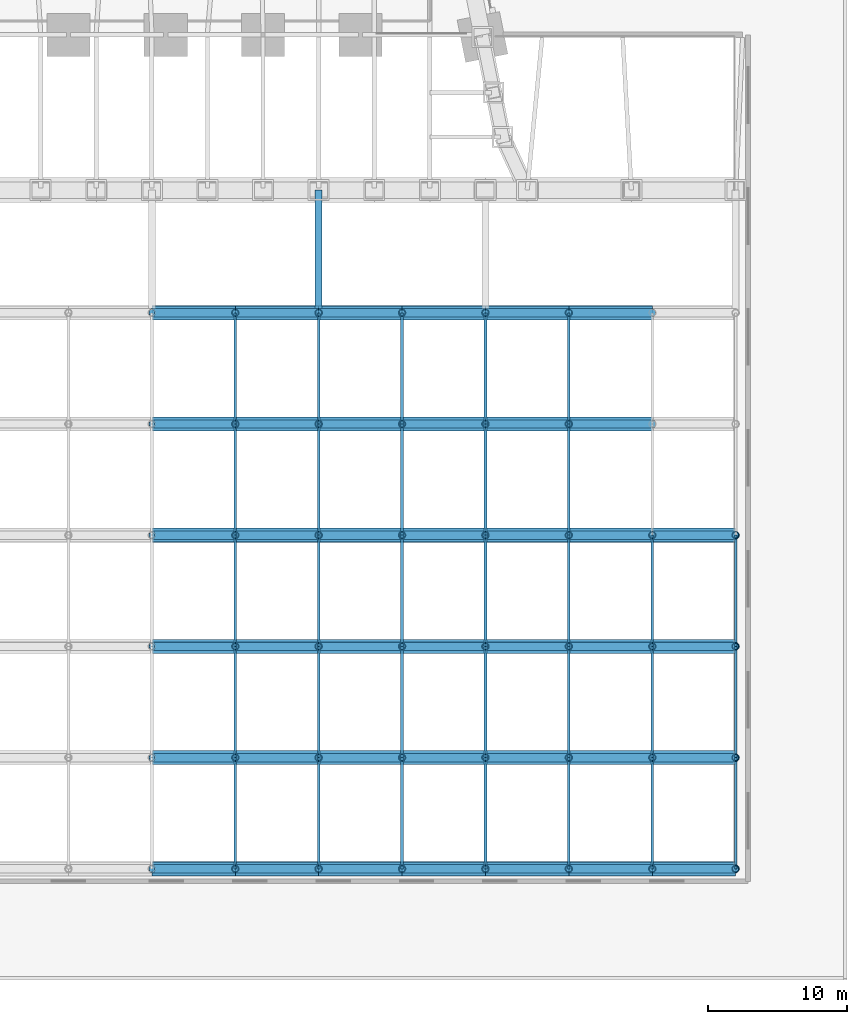
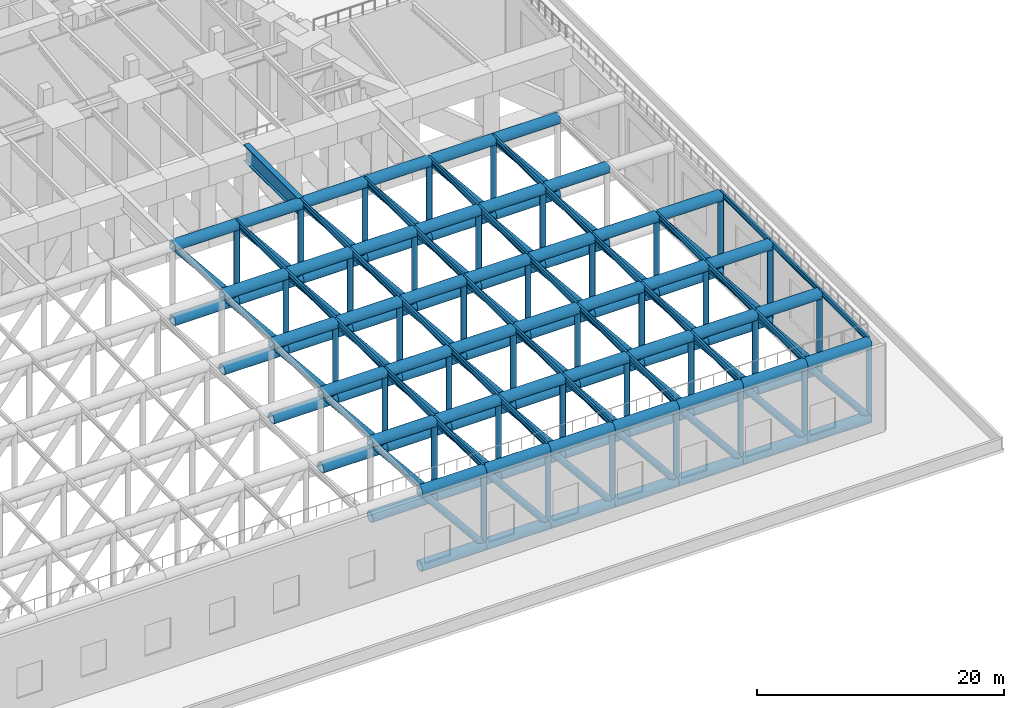
# One storey, part 5 of 20: 158 members, 32 beams.
"""IFC4 building model written with IfcOpenShell, lengths in metres."""

from ifc_helpers import new_model, si_unit, direction, frame, origin, origin_2d, place, context, subcontext, project, spatial, hollow_circle, i_section, extrude, material, material_profile, profile_set, type_object, element, save


model = new_model("IFC4")

# Units and contexts
model_context = context("Model", 3, precision=1e-05, world=origin(), true_north=direction((0.0, 1.0)))
body_context = subcontext(model_context, "Body", "Model", "MODEL_VIEW")
ifc_project = project(units=[si_unit("LENGTHUNIT", "METRE"), si_unit("AREAUNIT", "SQUARE_METRE"), si_unit("VOLUMEUNIT", "CUBIC_METRE"), si_unit("PLANEANGLEUNIT", "RADIAN"), si_unit("MASSUNIT", "GRAM", prefix="KILO")], contexts=[model_context])

# Site, building, storey
site_placement = place(None, origin())
site = spatial("IfcSite", under=ifc_project, at=site_placement, CompositionType="ELEMENT")
building_placement = place(site_placement, origin())
building = spatial("IfcBuilding", under=site, at=building_placement, Name="Isbrekke Arena Tower", CompositionType="ELEMENT")
storey_placement = place(building_placement, frame((0.0, 0.0, 19.0)))
storey = spatial("IfcBuildingStorey", under=building, at=storey_placement, Name="L03", CompositionType="ELEMENT", Elevation=19.0)

# Beams
ifc_material_1 = material(Name="Steel S355", Category="steel")
ifc_material_profile_1 = material_profile(ifc_material_1, i_section(OverallWidth=0.199951171875, OverallDepth=0.5, WebThickness=0.01025390625, FlangeThickness=0.01611328125, FilletRadius=0.02099609375, at=origin_2d()), Name="IPE 500")
ifc_profile_set_1 = profile_set([ifc_material_profile_1], Name="Steel S355")
beam_type_1 = type_object("IfcBeamType", Name="RP1 IPE 500", PredefinedType="BEAM", material=ifc_profile_set_1)
for number, where, z_axis, x_axis, name in (
    (1, (12.0, -66.0, 8.75), (0.0, 1.0, 0.0), (-1.0, 0.0, 0.0), "RP1 roof purlin 1.11"),
    (2, (18.0, -66.0, 8.75), (0.0, 1.0, 0.0), (-1.0, 0.0, 0.0), "RP1 roof purlin 1.12"),
    (3, (24.0, -66.0, 8.75), (0.0, 1.0, 0.0), (-1.0, 0.0, 0.0), "RP1 roof purlin 1.13"),
    (4, (30.0, -66.0, 8.75), (0.0, 1.0, 0.0), (-1.0, 0.0, 0.0), "RP1 roof purlin 1.14"),
    (5, (36.0, -66.0, 8.75), (0.0, 1.0, 0.0), (-1.0, 0.0, 0.0), "RP1 roof purlin 1.15"),
    (6, (42.0, -66.0, 8.75), (0.0, 1.0, 0.0), (-1.0, 0.0, 0.0), "RP1 roof purlin 1.16"),
    (7, (48.0, -66.0, 8.75), (0.0, 1.0, 0.0), (-1.0, 0.0, 0.0), "RP1 roof purlin 1.17"),
    (8, (12.0, -58.0, 8.75), (0.0, 1.0, 0.0), (-1.0, 0.0, 0.0), "RP1 roof purlin 2.11"),
    (9, (18.0, -58.0, 8.75), (0.0, 1.0, 0.0), (-1.0, 0.0, 0.0), "RP1 roof purlin 2.12"),
    (10, (24.0, -58.0, 8.75), (0.0, 1.0, 0.0), (-1.0, 0.0, 0.0), "RP1 roof purlin 2.13"),
    (11, (30.0, -58.0, 8.75), (0.0, 1.0, 0.0), (-1.0, 0.0, 0.0), "RP1 roof purlin 2.14"),
    (12, (36.0, -58.0, 8.75), (0.0, 1.0, 0.0), (-1.0, 0.0, 0.0), "RP1 roof purlin 2.15"),
    (13, (42.0, -58.0, 8.75), (0.0, 1.0, 0.0), (-1.0, 0.0, 0.0), "RP1 roof purlin 2.16"),
    (14, (48.0, -58.0, 8.75), (0.0, 1.0, 0.0), (-1.0, 0.0, 0.0), "RP1 roof purlin 2.17"),
    (15, (12.0, -50.0, 8.75), (0.0, 1.0, 0.0), (-1.0, 0.0, 0.0), "RP1 roof purlin 3.11"),
    (16, (18.0, -50.0, 8.75), (0.0, 1.0, 0.0), (-1.0, 0.0, 0.0), "RP1 roof purlin 3.12"),
    (17, (24.0, -50.0, 8.75), (0.0, 1.0, 0.0), (-1.0, 0.0, 0.0), "RP1 roof purlin 3.13"),
    (18, (30.0, -50.0, 8.75), (0.0, 1.0, 0.0), (-1.0, 0.0, 0.0), "RP1 roof purlin 3.14"),
    (19, (36.0, -50.0, 8.75), (0.0, 1.0, 0.0), (-1.0, 0.0, 0.0), "RP1 roof purlin 3.15"),
    (20, (42.0, -50.0, 8.75), (0.0, 1.0, 0.0), (-1.0, 0.0, 0.0), "RP1 roof purlin 3.16"),
    (21, (48.0, -50.0, 8.75), (0.0, 1.0, 0.0), (-1.0, 0.0, 0.0), "RP1 roof purlin 3.17"),
    (22, (12.0, -42.0, 8.75), (0.0, 1.0, 0.0), (-1.0, 0.0, 0.0), "RP1 roof purlin 4.11"),
    (23, (18.0, -42.0, 8.75), (0.0, 1.0, 0.0), (-1.0, 0.0, 0.0), "RP1 roof purlin 4.12"),
    (24, (24.0, -42.0, 8.75), (0.0, 1.0, 0.0), (-1.0, 0.0, 0.0), "RP1 roof purlin 4.13"),
    (25, (30.0, -42.0, 8.75), (0.0, 1.0, 0.0), (-1.0, 0.0, 0.0), "RP1 roof purlin 4.14"),
    (26, (36.0, -42.0, 8.75), (0.0, 1.0, 0.0), (-1.0, 0.0, 0.0), "RP1 roof purlin 4.15"),
    (27, (12.0, -34.0, 8.75), (0.0, 1.0, 0.0), (-1.0, 0.0, 0.0), "RP1 roof purlin 5.11"),
    (28, (18.0, -34.0, 8.75), (0.0, 1.0, 0.0), (-1.0, 0.0, 0.0), "RP1 roof purlin 5.12"),
    (29, (24.0, -34.0, 8.75), (0.0, 1.0, 0.0), (-1.0, 0.0, 0.0), "RP1 roof purlin 5.13"),
    (30, (30.0, -34.0, 8.75), (0.0, 1.0, 0.0), (-1.0, 0.0, 0.0), "RP1 roof purlin 5.14"),
    (31, (36.0, -34.0, 8.75), (0.0, 1.0, 0.0), (-1.0, 0.0, 0.0), "RP1 roof purlin 5.15"),
):
    element("IfcBeam", number, at=place(storey_placement, frame(where, z_axis=z_axis, x_axis=x_axis)), inside=storey, type_object=beam_type_1, Name=name, PredefinedType="BEAM", context=body_context, shape_type="SweptSolid", body=[
        extrude(i_section(OverallWidth=0.199951171875, OverallDepth=0.5, WebThickness=0.01025390625, FlangeThickness=0.01611328125, FilletRadius=0.02099609375, at=origin_2d()), origin(), (0.0, 0.0, 1.0), 8.0),
    ])
ifc_material_2 = material(Name="Steel S460", Category="steel")
ifc_material_profile_2 = material_profile(ifc_material_2, i_section(OverallWidth=0.5, OverallDepth=1.60009765625, WebThickness=0.030029296875, FlangeThickness=0.06005859375, at=origin_2d()), Name="PG 1600x500")
ifc_profile_set_2 = profile_set([ifc_material_profile_2], Name="Steel S460")
beam_type_2 = type_object("IfcBeamType", Name="RP3 PG 1600x500", PredefinedType="BEAM", material=ifc_profile_set_2)
beam_placement = place(storey_placement, frame((18.0, -26.0, 8.199951171875), z_axis=(0.0, 1.0, 0.0), x_axis=(-1.0, 0.0, 0.0)))
element("IfcBeam", 32, at=beam_placement, inside=storey, type_object=beam_type_2, Name="RP3 roof purlin 6.12", PredefinedType="BEAM", context=body_context, shape_type="SweptSolid", body=[
    extrude(i_section(OverallWidth=0.5, OverallDepth=1.60009765625, WebThickness=0.030029296875, FlangeThickness=0.06005859375, at=origin_2d()), origin(), (0.0, 0.0, 1.0), 8.824951171875),
])

# Members
ifc_material_3 = material(Name="Steel S355", Category="steel")
ifc_material_profile_3 = material_profile(ifc_material_3, hollow_circle(Radius=0.508056640625, WallThickness=0.050048828125, at=origin_2d()), Name="CHS 1016x50")
ifc_profile_set_3 = profile_set([ifc_material_profile_3], Name="Steel S355")
member_type_1 = type_object("IfcMemberType", Name="RT1 CHS 1016x50", PredefinedType="CHORD", material=ifc_profile_set_3)
for number, where, z_axis, x_axis, name in (
    (33, (6.0, -66.0, 1.10791015625), (1.0, 0.0, 0.0), (0.0, 1.0, 0.0), "RT1 arena roof truss bottom chord 10"),
    (34, (6.0, -66.0, 8.491943359375), (1.0, 0.0, 0.0), (0.0, 1.0, 0.0), "RT1 arena roof truss top chord 10"),
    (35, (12.0, -66.0, 1.10791015625), (1.0, 0.0, 0.0), (0.0, 1.0, 0.0), "RT1 arena roof truss bottom chord 11"),
    (36, (12.0, -66.0, 8.491943359375), (1.0, 0.0, 0.0), (0.0, 1.0, 0.0), "RT1 arena roof truss top chord 11"),
    (37, (18.0, -66.0, 1.10791015625), (1.0, 0.0, 0.0), (0.0, 1.0, 0.0), "RT1 arena roof truss bottom chord 12"),
    (38, (18.0, -66.0, 8.491943359375), (1.0, 0.0, 0.0), (0.0, 1.0, 0.0), "RT1 arena roof truss top chord 12"),
    (39, (24.0, -66.0, 1.10791015625), (1.0, 0.0, 0.0), (0.0, 1.0, 0.0), "RT1 arena roof truss bottom chord 13"),
    (40, (24.0, -66.0, 8.491943359375), (1.0, 0.0, 0.0), (0.0, 1.0, 0.0), "RT1 arena roof truss top chord 13"),
    (41, (30.0, -66.0, 1.10791015625), (1.0, 0.0, 0.0), (0.0, 1.0, 0.0), "RT1 arena roof truss bottom chord 14"),
    (42, (30.0, -66.0, 8.491943359375), (1.0, 0.0, 0.0), (0.0, 1.0, 0.0), "RT1 arena roof truss top chord 14"),
    (43, (36.0, -66.0, 1.10791015625), (1.0, 0.0, 0.0), (0.0, 1.0, 0.0), "RT1 arena roof truss bottom chord 15"),
    (44, (36.0, -66.0, 8.491943359375), (1.0, 0.0, 0.0), (0.0, 1.0, 0.0), "RT1 arena roof truss top chord 15"),
    (45, (42.0, -66.0, 1.10791015625), (1.0, 0.0, 0.0), (0.0, 1.0, 0.0), "RT1 arena roof truss bottom chord 16"),
    (46, (42.0, -66.0, 8.491943359375), (1.0, 0.0, 0.0), (0.0, 1.0, 0.0), "RT1 arena roof truss top chord 16"),
    (47, (6.0, -58.0, 1.10791015625), (1.0, 0.0, 0.0), (0.0, 1.0, 0.0), "RT2 arena roof truss bottom chord 10"),
    (48, (6.0, -58.0, 8.491943359375), (1.0, 0.0, 0.0), (0.0, 1.0, 0.0), "RT2 arena roof truss top chord 10"),
    (49, (12.0, -58.0, 1.10791015625), (1.0, 0.0, 0.0), (0.0, 1.0, 0.0), "RT2 arena roof truss bottom chord 11"),
    (50, (12.0, -58.0, 8.491943359375), (1.0, 0.0, 0.0), (0.0, 1.0, 0.0), "RT2 arena roof truss top chord 11"),
    (51, (18.0, -58.0, 1.10791015625), (1.0, 0.0, 0.0), (0.0, 1.0, 0.0), "RT2 arena roof truss bottom chord 12"),
    (52, (18.0, -58.0, 8.491943359375), (1.0, 0.0, 0.0), (0.0, 1.0, 0.0), "RT2 arena roof truss top chord 12"),
    (53, (24.0, -58.0, 1.10791015625), (1.0, 0.0, 0.0), (0.0, 1.0, 0.0), "RT2 arena roof truss bottom chord 13"),
    (54, (24.0, -58.0, 8.491943359375), (1.0, 0.0, 0.0), (0.0, 1.0, 0.0), "RT2 arena roof truss top chord 13"),
    (55, (30.0, -58.0, 1.10791015625), (1.0, 0.0, 0.0), (0.0, 1.0, 0.0), "RT2 arena roof truss bottom chord 14"),
    (56, (30.0, -58.0, 8.491943359375), (1.0, 0.0, 0.0), (0.0, 1.0, 0.0), "RT2 arena roof truss top chord 14"),
    (57, (36.0, -58.0, 1.10791015625), (1.0, 0.0, 0.0), (0.0, 1.0, 0.0), "RT2 arena roof truss bottom chord 15"),
    (58, (36.0, -58.0, 8.491943359375), (1.0, 0.0, 0.0), (0.0, 1.0, 0.0), "RT2 arena roof truss top chord 15"),
    (59, (42.0, -58.0, 1.10791015625), (1.0, 0.0, 0.0), (0.0, 1.0, 0.0), "RT2 arena roof truss bottom chord 16"),
    (60, (42.0, -58.0, 8.491943359375), (1.0, 0.0, 0.0), (0.0, 1.0, 0.0), "RT2 arena roof truss top chord 16"),
    (61, (6.0, -50.0, 1.10791015625), (1.0, 0.0, 0.0), (0.0, 1.0, 0.0), "RT3 arena roof truss bottom chord 10"),
    (62, (6.0, -50.0, 8.491943359375), (1.0, 0.0, 0.0), (0.0, 1.0, 0.0), "RT3 arena roof truss top chord 10"),
    (63, (12.0, -50.0, 1.10791015625), (1.0, 0.0, 0.0), (0.0, 1.0, 0.0), "RT3 arena roof truss bottom chord 11"),
    (64, (12.0, -50.0, 8.491943359375), (1.0, 0.0, 0.0), (0.0, 1.0, 0.0), "RT3 arena roof truss top chord 11"),
    (65, (18.0, -50.0, 1.10791015625), (1.0, 0.0, 0.0), (0.0, 1.0, 0.0), "RT3 arena roof truss bottom chord 12"),
    (66, (18.0, -50.0, 8.491943359375), (1.0, 0.0, 0.0), (0.0, 1.0, 0.0), "RT3 arena roof truss top chord 12"),
    (67, (24.0, -50.0, 1.10791015625), (1.0, 0.0, 0.0), (0.0, 1.0, 0.0), "RT3 arena roof truss bottom chord 13"),
    (68, (24.0, -50.0, 8.491943359375), (1.0, 0.0, 0.0), (0.0, 1.0, 0.0), "RT3 arena roof truss top chord 13"),
    (69, (30.0, -50.0, 1.10791015625), (1.0, 0.0, 0.0), (0.0, 1.0, 0.0), "RT3 arena roof truss bottom chord 14"),
    (70, (30.0, -50.0, 8.491943359375), (1.0, 0.0, 0.0), (0.0, 1.0, 0.0), "RT3 arena roof truss top chord 14"),
    (71, (36.0, -50.0, 1.10791015625), (1.0, 0.0, 0.0), (0.0, 1.0, 0.0), "RT3 arena roof truss bottom chord 15"),
    (72, (36.0, -50.0, 8.491943359375), (1.0, 0.0, 0.0), (0.0, 1.0, 0.0), "RT3 arena roof truss top chord 15"),
    (73, (42.0, -50.0, 1.10791015625), (1.0, 0.0, 0.0), (0.0, 1.0, 0.0), "RT3 arena roof truss bottom chord 16"),
    (74, (42.0, -50.0, 8.491943359375), (1.0, 0.0, 0.0), (0.0, 1.0, 0.0), "RT3 arena roof truss top chord 16"),
    (75, (6.0, -42.0, 1.10791015625), (1.0, 0.0, 0.0), (0.0, 1.0, 0.0), "RT4 arena roof truss bottom chord 10"),
    (76, (6.0, -42.0, 8.491943359375), (1.0, 0.0, 0.0), (0.0, 1.0, 0.0), "RT4 arena roof truss top chord 10"),
    (77, (12.0, -42.0, 1.10791015625), (1.0, 0.0, 0.0), (0.0, 1.0, 0.0), "RT4 arena roof truss bottom chord 11"),
    (78, (12.0, -42.0, 8.491943359375), (1.0, 0.0, 0.0), (0.0, 1.0, 0.0), "RT4 arena roof truss top chord 11"),
    (79, (18.0, -42.0, 1.10791015625), (1.0, 0.0, 0.0), (0.0, 1.0, 0.0), "RT4 arena roof truss bottom chord 12"),
    (80, (18.0, -42.0, 8.491943359375), (1.0, 0.0, 0.0), (0.0, 1.0, 0.0), "RT4 arena roof truss top chord 12"),
    (81, (24.0, -42.0, 1.10791015625), (1.0, 0.0, 0.0), (0.0, 1.0, 0.0), "RT4 arena roof truss bottom chord 13"),
    (82, (24.0, -42.0, 8.491943359375), (1.0, 0.0, 0.0), (0.0, 1.0, 0.0), "RT4 arena roof truss top chord 13"),
    (83, (30.0, -42.0, 1.10791015625), (1.0, 0.0, 0.0), (0.0, 1.0, 0.0), "RT4 arena roof truss bottom chord 14"),
    (84, (30.0, -42.0, 8.491943359375), (1.0, 0.0, 0.0), (0.0, 1.0, 0.0), "RT4 arena roof truss top chord 14"),
    (85, (36.0, -42.0, 1.10791015625), (1.0, 0.0, 0.0), (0.0, 1.0, 0.0), "RT4 arena roof truss bottom chord 15"),
    (86, (36.0, -42.0, 8.491943359375), (1.0, 0.0, 0.0), (0.0, 1.0, 0.0), "RT4 arena roof truss top chord 15"),
    (87, (42.0, -42.0, 1.10791015625), (1.0, 0.0, 0.0), (0.0, 1.0, 0.0), "RT4 arena roof truss bottom chord 16"),
    (88, (42.0, -42.0, 8.491943359375), (1.0, 0.0, 0.0), (0.0, 1.0, 0.0), "RT4 arena roof truss top chord 16"),
    (89, (6.0, -34.0, 1.10791015625), (1.0, 0.0, 0.0), (0.0, 1.0, 0.0), "RT5 arena roof truss bottom chord 10"),
    (90, (6.0, -34.0, 8.491943359375), (1.0, 0.0, 0.0), (0.0, 1.0, 0.0), "RT5 arena roof truss top chord 10"),
    (91, (12.0, -34.0, 1.10791015625), (1.0, 0.0, 0.0), (0.0, 1.0, 0.0), "RT5 arena roof truss bottom chord 11"),
    (92, (12.0, -34.0, 8.491943359375), (1.0, 0.0, 0.0), (0.0, 1.0, 0.0), "RT5 arena roof truss top chord 11"),
    (93, (18.0, -34.0, 1.10791015625), (1.0, 0.0, 0.0), (0.0, 1.0, 0.0), "RT5 arena roof truss bottom chord 12"),
    (94, (18.0, -34.0, 8.491943359375), (1.0, 0.0, 0.0), (0.0, 1.0, 0.0), "RT5 arena roof truss top chord 12"),
    (95, (24.0, -34.0, 1.10791015625), (1.0, 0.0, 0.0), (0.0, 1.0, 0.0), "RT5 arena roof truss bottom chord 13"),
    (96, (24.0, -34.0, 8.491943359375), (1.0, 0.0, 0.0), (0.0, 1.0, 0.0), "RT5 arena roof truss top chord 13"),
    (97, (30.0, -34.0, 1.10791015625), (1.0, 0.0, 0.0), (0.0, 1.0, 0.0), "RT5 arena roof truss bottom chord 14"),
    (98, (30.0, -34.0, 8.491943359375), (1.0, 0.0, 0.0), (0.0, 1.0, 0.0), "RT5 arena roof truss top chord 14"),
    (99, (36.0, -34.0, 1.10791015625), (1.0, 0.0, 0.0), (0.0, 1.0, 0.0), "RT5 arena roof truss bottom chord 15"),
    (100, (36.0, -34.0, 8.491943359375), (1.0, 0.0, 0.0), (0.0, 1.0, 0.0), "RT5 arena roof truss top chord 15"),
):
    element("IfcMember", number, at=place(storey_placement, frame(where, z_axis=z_axis, x_axis=x_axis)), inside=storey, type_object=member_type_1, Name=name, PredefinedType="CHORD", context=body_context, shape_type="SweptSolid", body=[
        extrude(hollow_circle(Radius=0.508056640625, WallThickness=0.050048828125, at=origin_2d()), origin(), (0.0, 0.0, 1.0), 6.0),
    ])
ifc_material_4 = material(Name="Steel S355", Category="steel")
ifc_material_profile_4 = material_profile(ifc_material_4, hollow_circle(Radius=0.508056640625, WallThickness=0.080078125, at=origin_2d()), Name="CHS 1016x80")
ifc_profile_set_4 = profile_set([ifc_material_profile_4], Name="Steel S355")
member_type_2 = type_object("IfcMemberType", Name="RT1H CHS 1016x80", PredefinedType="CHORD", material=ifc_profile_set_4)
for number, where, z_axis, x_axis, name in (
    (101, (6.0, -26.0, 1.10791015625), (1.0, 0.0, 0.0), (0.0, 1.0, 0.0), "RT6 arena roof truss bottom chord 10"),
    (102, (6.0, -26.0, 8.491943359375), (1.0, 0.0, 0.0), (0.0, 1.0, 0.0), "RT6 arena roof truss top chord 10"),
    (103, (12.0, -26.0, 1.10791015625), (1.0, 0.0, 0.0), (0.0, 1.0, 0.0), "RT6 arena roof truss bottom chord 11"),
    (104, (12.0, -26.0, 8.491943359375), (1.0, 0.0, 0.0), (0.0, 1.0, 0.0), "RT6 arena roof truss top chord 11"),
    (105, (18.0, -26.0, 1.10791015625), (1.0, 0.0, 0.0), (0.0, 1.0, 0.0), "RT6 arena roof truss bottom chord 12"),
    (106, (18.0, -26.0, 8.491943359375), (1.0, 0.0, 0.0), (0.0, 1.0, 0.0), "RT6 arena roof truss top chord 12"),
    (107, (24.0, -26.0, 1.10791015625), (1.0, 0.0, 0.0), (0.0, 1.0, 0.0), "RT6 arena roof truss bottom chord 13"),
    (108, (24.0, -26.0, 8.491943359375), (1.0, 0.0, 0.0), (0.0, 1.0, 0.0), "RT6 arena roof truss top chord 13"),
    (109, (30.0, -26.0, 1.10791015625), (1.0, 0.0, 0.0), (0.0, 1.0, 0.0), "RT6 arena roof truss bottom chord 14"),
    (110, (30.0, -26.0, 8.491943359375), (1.0, 0.0, 0.0), (0.0, 1.0, 0.0), "RT6 arena roof truss top chord 14"),
    (111, (36.0, -26.0, 1.10791015625), (1.0, 0.0, 0.0), (0.0, 1.0, 0.0), "RT6 arena roof truss bottom chord 15"),
    (112, (36.0, -26.0, 8.491943359375), (1.0, 0.0, 0.0), (0.0, 1.0, 0.0), "RT6 arena roof truss top chord 15"),
):
    element("IfcMember", number, at=place(storey_placement, frame(where, z_axis=z_axis, x_axis=x_axis)), inside=storey, type_object=member_type_2, Name=name, PredefinedType="CHORD", context=body_context, shape_type="SweptSolid", body=[
        extrude(hollow_circle(Radius=0.508056640625, WallThickness=0.080078125, at=origin_2d()), origin(), (0.0, 0.0, 1.0), 6.0),
    ])
ifc_material_5 = material(Name="Steel S355", Category="steel")
ifc_material_profile_5 = material_profile(ifc_material_5, hollow_circle(Radius=0.25390625, WallThickness=0.02001953125, at=origin_2d()), Name="CHS 508x20")
ifc_profile_set_5 = profile_set([ifc_material_profile_5], Name="Steel S355")
member_type_3 = type_object("IfcMemberType", Name="RT2 CHS 508x20", PredefinedType="POST", material=ifc_profile_set_5)
for number, where, z_axis, x_axis, name in (
    (113, (12.0, -66.0, 1.10791015625), (0.0, 0.0, 1.0), (1.0, 0.0, 0.0), "RT1 arena roof truss post 11"),
    (114, (18.0, -66.0, 1.10791015625), (0.0, 0.0, 1.0), (1.0, 0.0, 0.0), "RT1 arena roof truss post 12"),
    (115, (24.0, -66.0, 1.10791015625), (0.0, 0.0, 1.0), (1.0, 0.0, 0.0), "RT1 arena roof truss post 13"),
    (116, (30.0, -66.0, 1.10791015625), (0.0, 0.0, 1.0), (1.0, 0.0, 0.0), "RT1 arena roof truss post 14"),
    (117, (36.0, -66.0, 1.10791015625), (0.0, 0.0, 1.0), (1.0, 0.0, 0.0), "RT1 arena roof truss post 15"),
    (118, (42.0, -66.0, 1.10791015625), (0.0, 0.0, 1.0), (1.0, 0.0, 0.0), "RT1 arena roof truss post 16"),
    (119, (48.0, -66.0, 1.10791015625), (0.0, 0.0, 1.0), (1.0, 0.0, 0.0), "RT1 arena roof truss post 17"),
    (120, (12.0, -58.0, 1.10791015625), (0.0, 0.0, 1.0), (1.0, 0.0, 0.0), "RT2 arena roof truss post 11"),
    (121, (18.0, -58.0, 1.10791015625), (0.0, 0.0, 1.0), (1.0, 0.0, 0.0), "RT2 arena roof truss post 12"),
    (122, (24.0, -58.0, 1.10791015625), (0.0, 0.0, 1.0), (1.0, 0.0, 0.0), "RT2 arena roof truss post 13"),
    (123, (30.0, -58.0, 1.10791015625), (0.0, 0.0, 1.0), (1.0, 0.0, 0.0), "RT2 arena roof truss post 14"),
    (124, (36.0, -58.0, 1.10791015625), (0.0, 0.0, 1.0), (1.0, 0.0, 0.0), "RT2 arena roof truss post 15"),
    (125, (42.0, -58.0, 1.10791015625), (0.0, 0.0, 1.0), (1.0, 0.0, 0.0), "RT2 arena roof truss post 16"),
    (126, (48.0, -58.0, 1.10791015625), (0.0, 0.0, 1.0), (1.0, 0.0, 0.0), "RT2 arena roof truss post 17"),
    (127, (12.0, -50.0, 1.10791015625), (0.0, 0.0, 1.0), (1.0, 0.0, 0.0), "RT3 arena roof truss post 11"),
    (128, (18.0, -50.0, 1.10791015625), (0.0, 0.0, 1.0), (1.0, 0.0, 0.0), "RT3 arena roof truss post 12"),
    (129, (24.0, -50.0, 1.10791015625), (0.0, 0.0, 1.0), (1.0, 0.0, 0.0), "RT3 arena roof truss post 13"),
    (130, (30.0, -50.0, 1.10791015625), (0.0, 0.0, 1.0), (1.0, 0.0, 0.0), "RT3 arena roof truss post 14"),
    (131, (36.0, -50.0, 1.10791015625), (0.0, 0.0, 1.0), (1.0, 0.0, 0.0), "RT3 arena roof truss post 15"),
    (132, (42.0, -50.0, 1.10791015625), (0.0, 0.0, 1.0), (1.0, 0.0, 0.0), "RT3 arena roof truss post 16"),
    (133, (48.0, -50.0, 1.10791015625), (0.0, 0.0, 1.0), (1.0, 0.0, 0.0), "RT3 arena roof truss post 17"),
    (134, (12.0, -42.0, 1.10791015625), (0.0, 0.0, 1.0), (1.0, 0.0, 0.0), "RT4 arena roof truss post 11"),
    (135, (18.0, -42.0, 1.10791015625), (0.0, 0.0, 1.0), (1.0, 0.0, 0.0), "RT4 arena roof truss post 12"),
    (136, (24.0, -42.0, 1.10791015625), (0.0, 0.0, 1.0), (1.0, 0.0, 0.0), "RT4 arena roof truss post 13"),
    (137, (30.0, -42.0, 1.10791015625), (0.0, 0.0, 1.0), (1.0, 0.0, 0.0), "RT4 arena roof truss post 14"),
    (138, (36.0, -42.0, 1.10791015625), (0.0, 0.0, 1.0), (1.0, 0.0, 0.0), "RT4 arena roof truss post 15"),
    (139, (42.0, -42.0, 1.10791015625), (0.0, 0.0, 1.0), (1.0, 0.0, 0.0), "RT4 arena roof truss post 16"),
    (140, (48.0, -42.0, 1.10791015625), (0.0, 0.0, 1.0), (1.0, 0.0, 0.0), "RT4 arena roof truss post 17"),
    (141, (12.0, -34.0, 1.10791015625), (0.0, 0.0, 1.0), (1.0, 0.0, 0.0), "RT5 arena roof truss post 11"),
    (142, (18.0, -34.0, 1.10791015625), (0.0, 0.0, 1.0), (1.0, 0.0, 0.0), "RT5 arena roof truss post 12"),
    (143, (24.0, -34.0, 1.10791015625), (0.0, 0.0, 1.0), (1.0, 0.0, 0.0), "RT5 arena roof truss post 13"),
    (144, (30.0, -34.0, 1.10791015625), (0.0, 0.0, 1.0), (1.0, 0.0, 0.0), "RT5 arena roof truss post 14"),
    (145, (36.0, -34.0, 1.10791015625), (0.0, 0.0, 1.0), (1.0, 0.0, 0.0), "RT5 arena roof truss post 15"),
    (146, (12.0, -26.0, 1.10791015625), (0.0, 0.0, 1.0), (1.0, 0.0, 0.0), "RT6 arena roof truss post 11"),
    (147, (18.0, -26.0, 1.10791015625), (0.0, 0.0, 1.0), (1.0, 0.0, 0.0), "RT6 arena roof truss post 12"),
    (148, (24.0, -26.0, 1.10791015625), (0.0, 0.0, 1.0), (1.0, 0.0, 0.0), "RT6 arena roof truss post 13"),
    (149, (30.0, -26.0, 1.10791015625), (0.0, 0.0, 1.0), (1.0, 0.0, 0.0), "RT6 arena roof truss post 14"),
    (150, (36.0, -26.0, 1.10791015625), (0.0, 0.0, 1.0), (1.0, 0.0, 0.0), "RT6 arena roof truss post 15"),
):
    element("IfcMember", number, at=place(storey_placement, frame(where, z_axis=z_axis, x_axis=x_axis)), inside=storey, type_object=member_type_3, Name=name, PredefinedType="POST", context=body_context, shape_type="SweptSolid", body=[
        extrude(hollow_circle(Radius=0.25390625, WallThickness=0.02001953125, at=origin_2d()), origin(), (0.0, 0.0, 1.0), 7.384033203125),
    ])
ifc_material_6 = material(Name="Steel S355", Category="steel")
ifc_material_profile_6 = material_profile(ifc_material_6, hollow_circle(Radius=0.304931640625, WallThickness=0.050048828125, at=origin_2d()), Name="CHS 610x50")
ifc_profile_set_6 = profile_set([ifc_material_profile_6], Name="Steel S355")
member_type_4 = type_object("IfcMemberType", Name="RT3 CHS 610x50", PredefinedType="BRACE", material=ifc_profile_set_6)
for number, where, z_axis, x_axis, name in (
    (151, (6.0, -66.0, 8.491943359375), (0.630622571469, 0.0, -0.776089667728), (0.0, 1.0, 0.0), "RT1 arena roof truss diagonal 10"),
    (152, (12.0, -66.0, 8.491943359375), (0.630622571469, 0.0, -0.776089667728), (0.0, 1.0, 0.0), "RT1 arena roof truss diagonal 11"),
    (153, (18.0, -66.0, 8.491943359375), (0.630622571469, 0.0, -0.776089667728), (0.0, 1.0, 0.0), "RT1 arena roof truss diagonal 12"),
    (154, (24.0, -66.0, 8.491943359375), (0.630622571469, 0.0, -0.776089667728), (0.0, 1.0, 0.0), "RT1 arena roof truss diagonal 13"),
    (155, (30.0, -66.0, 8.491943359375), (0.630622571469, 0.0, -0.776089667728), (0.0, 1.0, 0.0), "RT1 arena roof truss diagonal 14"),
    (156, (36.0, -66.0, 8.491943359375), (0.630622571469, 0.0, -0.776089667728), (0.0, 1.0, 0.0), "RT1 arena roof truss diagonal 15"),
    (157, (42.0, -66.0, 8.491943359375), (0.630622571469, 0.0, -0.776089667728), (0.0, 1.0, 0.0), "RT1 arena roof truss diagonal 16"),
    (158, (6.0, -58.0, 8.491943359375), (0.630622571469, 0.0, -0.776089667728), (0.0, 1.0, 0.0), "RT2 arena roof truss diagonal 10"),
    (159, (12.0, -58.0, 8.491943359375), (0.630622571469, 0.0, -0.776089667728), (0.0, 1.0, 0.0), "RT2 arena roof truss diagonal 11"),
    (160, (18.0, -58.0, 8.491943359375), (0.630622571469, 0.0, -0.776089667728), (0.0, 1.0, 0.0), "RT2 arena roof truss diagonal 12"),
    (161, (24.0, -58.0, 8.491943359375), (0.630622571469, 0.0, -0.776089667728), (0.0, 1.0, 0.0), "RT2 arena roof truss diagonal 13"),
    (162, (30.0, -58.0, 8.491943359375), (0.630622571469, 0.0, -0.776089667728), (0.0, 1.0, 0.0), "RT2 arena roof truss diagonal 14"),
    (163, (36.0, -58.0, 8.491943359375), (0.630622571469, 0.0, -0.776089667728), (0.0, 1.0, 0.0), "RT2 arena roof truss diagonal 15"),
    (164, (42.0, -58.0, 8.491943359375), (0.630622571469, 0.0, -0.776089667728), (0.0, 1.0, 0.0), "RT2 arena roof truss diagonal 16"),
    (165, (6.0, -50.0, 8.491943359375), (0.630622571469, 0.0, -0.776089667728), (0.0, 1.0, 0.0), "RT3 arena roof truss diagonal 10"),
    (166, (12.0, -50.0, 8.491943359375), (0.630622571469, 0.0, -0.776089667728), (0.0, 1.0, 0.0), "RT3 arena roof truss diagonal 11"),
    (167, (18.0, -50.0, 8.491943359375), (0.630622571469, 0.0, -0.776089667728), (0.0, 1.0, 0.0), "RT3 arena roof truss diagonal 12"),
    (168, (24.0, -50.0, 8.491943359375), (0.630622571469, 0.0, -0.776089667728), (0.0, 1.0, 0.0), "RT3 arena roof truss diagonal 13"),
    (169, (30.0, -50.0, 8.491943359375), (0.630622571469, 0.0, -0.776089667728), (0.0, 1.0, 0.0), "RT3 arena roof truss diagonal 14"),
    (170, (36.0, -50.0, 8.491943359375), (0.630622571469, 0.0, -0.776089667728), (0.0, 1.0, 0.0), "RT3 arena roof truss diagonal 15"),
    (171, (42.0, -50.0, 8.491943359375), (0.630622571469, 0.0, -0.776089667728), (0.0, 1.0, 0.0), "RT3 arena roof truss diagonal 16"),
    (172, (6.0, -42.0, 8.491943359375), (0.630622571469, 0.0, -0.776089667728), (0.0, 1.0, 0.0), "RT4 arena roof truss diagonal 10"),
    (173, (12.0, -42.0, 8.491943359375), (0.630622571469, 0.0, -0.776089667728), (0.0, 1.0, 0.0), "RT4 arena roof truss diagonal 11"),
    (174, (18.0, -42.0, 8.491943359375), (0.630622571469, 0.0, -0.776089667728), (0.0, 1.0, 0.0), "RT4 arena roof truss diagonal 12"),
    (175, (24.0, -42.0, 8.491943359375), (0.630622571469, 0.0, -0.776089667728), (0.0, 1.0, 0.0), "RT4 arena roof truss diagonal 13"),
    (176, (30.0, -42.0, 8.491943359375), (0.630622571469, 0.0, -0.776089667728), (0.0, 1.0, 0.0), "RT4 arena roof truss diagonal 14"),
    (177, (36.0, -42.0, 8.491943359375), (0.630622571469, 0.0, -0.776089667728), (0.0, 1.0, 0.0), "RT4 arena roof truss diagonal 15"),
    (178, (42.0, -42.0, 8.491943359375), (0.630622571469, 0.0, -0.776089667728), (0.0, 1.0, 0.0), "RT4 arena roof truss diagonal 16"),
    (179, (6.0, -34.0, 8.491943359375), (0.630622571469, 0.0, -0.776089667728), (0.0, 1.0, 0.0), "RT5 arena roof truss diagonal 10"),
    (180, (12.0, -34.0, 8.491943359375), (0.630622571469, 0.0, -0.776089667728), (0.0, 1.0, 0.0), "RT5 arena roof truss diagonal 11"),
    (181, (18.0, -34.0, 8.491943359375), (0.630622571469, 0.0, -0.776089667728), (0.0, 1.0, 0.0), "RT5 arena roof truss diagonal 12"),
    (182, (24.0, -34.0, 8.491943359375), (0.630622571469, 0.0, -0.776089667728), (0.0, 1.0, 0.0), "RT5 arena roof truss diagonal 13"),
    (183, (30.0, -34.0, 8.491943359375), (0.630622571469, 0.0, -0.776089667728), (0.0, 1.0, 0.0), "RT5 arena roof truss diagonal 14"),
    (184, (36.0, -34.0, 8.491943359375), (0.630622571469, 0.0, -0.776089667728), (0.0, 1.0, 0.0), "RT5 arena roof truss diagonal 15"),
    (185, (6.0, -26.0, 8.491943359375), (0.630622571469, 0.0, -0.776089667728), (0.0, 1.0, 0.0), "RT6 arena roof truss diagonal 10"),
    (186, (12.0, -26.0, 8.491943359375), (0.630622571469, 0.0, -0.776089667728), (0.0, 1.0, 0.0), "RT6 arena roof truss diagonal 11"),
    (187, (18.0, -26.0, 8.491943359375), (0.630622571469, 0.0, -0.776089667728), (0.0, 1.0, 0.0), "RT6 arena roof truss diagonal 12"),
    (188, (24.0, -26.0, 8.491943359375), (0.630622571469, 0.0, -0.776089667728), (0.0, 1.0, 0.0), "RT6 arena roof truss diagonal 13"),
    (189, (30.0, -26.0, 8.491943359375), (0.630622571469, 0.0, -0.776089667728), (0.0, 1.0, 0.0), "RT6 arena roof truss diagonal 14"),
    (190, (36.0, -26.0, 8.491943359375), (0.630622571469, 0.0, -0.776089667728), (0.0, 1.0, 0.0), "RT6 arena roof truss diagonal 15"),
):
    element("IfcMember", number, at=place(storey_placement, frame(where, z_axis=z_axis, x_axis=x_axis)), inside=storey, type_object=member_type_4, Name=name, PredefinedType="BRACE", context=body_context, shape_type="SweptSolid", body=[
        extrude(hollow_circle(Radius=0.304931640625, WallThickness=0.050048828125, at=origin_2d()), origin(), (0.0, 0.0, 1.0), 9.514404296875),
    ])

save(model, "model.ifc")
